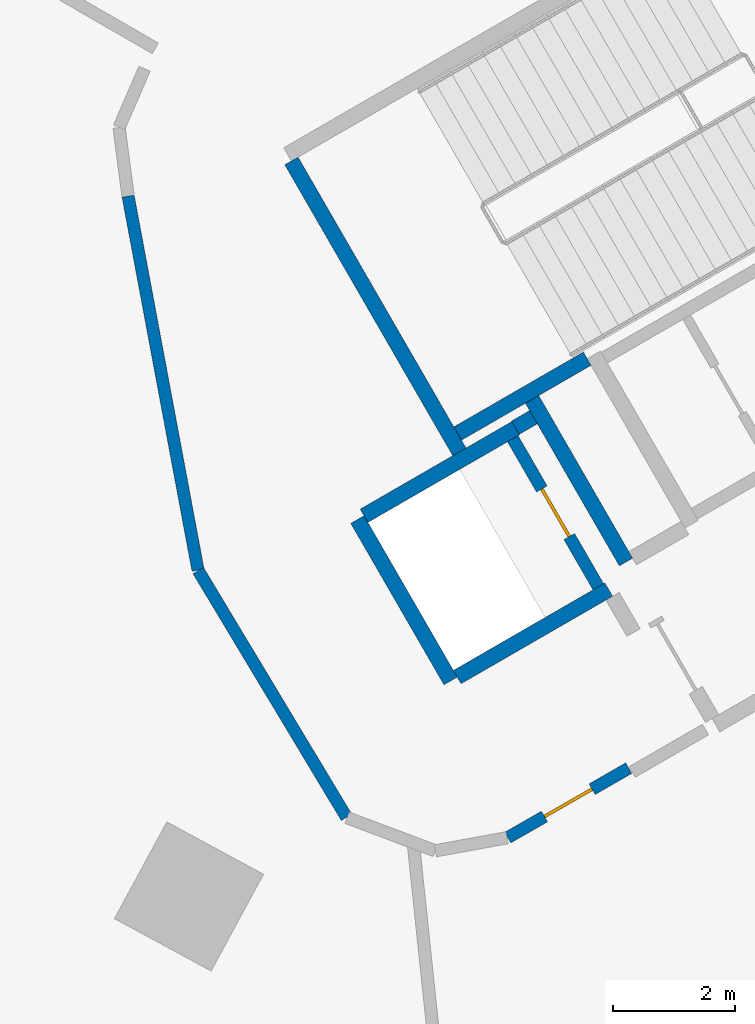
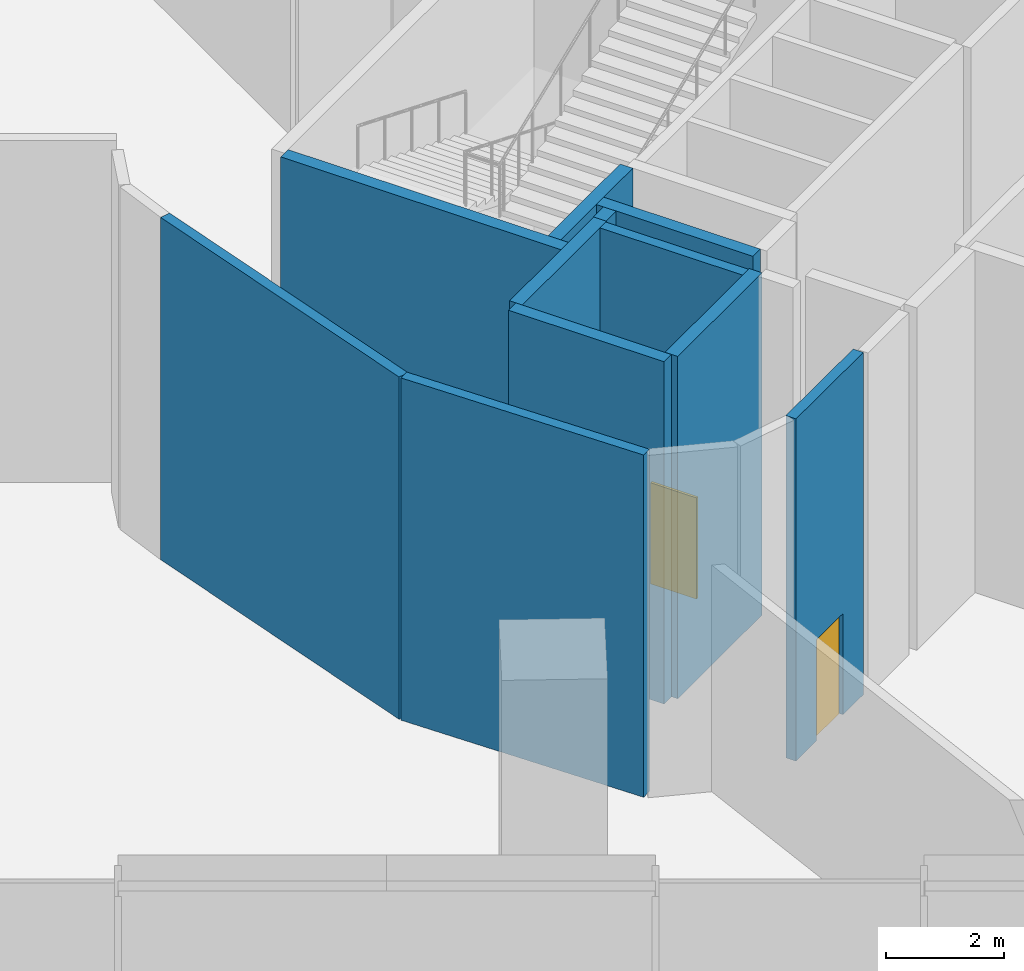
# One storey, part 15 of 41: 11 walls, 2 doors, 2 openings.
"""IFC4 building model written with IfcOpenShell, lengths in metres."""

from ifc_helpers import new_model, si_unit, direction, frame, frame_2d, origin, place, context, subcontext, project, spatial, rectangle, extrude, material, layer, layer_set, type_object, element, fill, save


model = new_model("IFC4")

# Units and contexts
model_context = context("Model", 3, precision=1e-05, world=origin(), true_north=direction((0.0, 1.0)))
body_context = subcontext(model_context, "Body", "Model", "MODEL_VIEW")
ifc_project = project(units=[si_unit("LENGTHUNIT", "METRE"), si_unit("AREAUNIT", "SQUARE_METRE"), si_unit("VOLUMEUNIT", "CUBIC_METRE"), si_unit("PLANEANGLEUNIT", "RADIAN"), si_unit("MASSUNIT", "GRAM", prefix="KILO")], contexts=[model_context])

# Site, building, storey
site_placement = place(None, origin())
site = spatial("IfcSite", under=ifc_project, at=site_placement, CompositionType="ELEMENT")
building_placement = place(site_placement, origin())
building = spatial("IfcBuilding", under=site, at=building_placement, Name="Tamra Quay Hotel Tower", CompositionType="ELEMENT")
storey_placement = place(building_placement, origin())
storey = spatial("IfcBuildingStorey", under=building, at=storey_placement, Name="L00", CompositionType="ELEMENT", Elevation=0.0)

# Wall, opening, door
ifc_material_1 = material(Name="Concrete M70", Category="concrete")
ifc_layer_1 = layer(ifc_material_1, 0.199951171875)
ifc_layer_set_1 = layer_set([ifc_layer_1], Name="Concrete M70 core wall 200")
wall_type_1 = type_object("IfcWallType", Name="Concrete M70 core wall 200", PredefinedType="SHEAR", material=ifc_layer_set_1)
wall_1_placement = place(storey_placement, frame((5.50341796875, -19.352294921875, 0.0), z_axis=(0.0, 0.0, 1.0), x_axis=(-0.499986818241, 0.866033014143, 0.0)))
wall_1 = element("IfcWall", 1, at=wall_1_placement, inside=storey, type_object=wall_type_1, Name="CW2", PredefinedType="SHEAR", context=body_context, shape_type="SweptSolid", body=[
    extrude(rectangle(XDim=2.7978515625, YDim=0.199951171875, at=frame_2d((1.39892578125, 0.0))), origin(), (0.0, 0.0, 1.0), 7.10009765625),
])
opening_1_placement = place(wall_1_placement, frame((0.948974609375, 0.0, 0.0)))
opening_1 = element("IfcOpeningElement", 2, at=opening_1_placement, cuts=wall_1, Name="Opening D1", PredefinedType="OPENING", context=body_context, shape_type="SweptSolid", body=[
    extrude(rectangle(XDim=0.89990234375, YDim=2.10009765625, at=frame_2d((0.449951171875, 1.050048828125))), frame((0.0, 0.10986328125, 0.0), z_axis=(0.0, -1.0, 0.0), x_axis=(1.0, 0.0, 0.0)), (0.0, 0.0, 1.0), 0.219970703125),
])
ifc_material_2 = material(Name="Core door D1 900x2100 LH")
door_type_1 = type_object("IfcDoorType", Name="Core door D1 900x2100 LH", OperationType="NOTDEFINED", PredefinedType="DOOR", material=ifc_material_2)
door_1_placement = place(opening_1_placement, origin())
door_1 = element("IfcDoor", 3, at=door_1_placement, inside=storey, type_object=door_type_1, Name="D1", OperationType="SINGLE_SWING_LEFT", OverallHeight=2.10009765625, OverallWidth=0.89990234375, PredefinedType="DOOR", context=body_context, shape_type="SweptSolid", body=[
    extrude(rectangle(XDim=0.89990234375, YDim=2.10009765625, at=frame_2d((0.449951171875, 1.050048828125))), frame((0.0, 0.02490234375, 0.0), z_axis=(0.0, -1.0, 0.0), x_axis=(1.0, 0.0, 0.0)), (0.0, 0.0, 1.0), 0.050048828125),
])
fill(opening_1, door_1)

# Walls
ifc_layer_2 = layer(ifc_material_1, 0.25)
ifc_layer_set_2 = layer_set([ifc_layer_2], Name="Concrete M70 core wall 250")
wall_type_2 = type_object("IfcWallType", Name="Concrete M70 core wall 250", PredefinedType="SHEAR", material=ifc_layer_set_2)
wall_2_placement = place(storey_placement, frame((3.23486328125, -17.15283203125, 0.0), z_axis=(0.0, 0.0, 1.0), x_axis=(-0.500008851346, 0.866020293397, 0.0)))
element("IfcWall", 4, at=wall_2_placement, inside=storey, type_object=wall_type_2, Name="CW1", PredefinedType="SHEAR", context=body_context, shape_type="SweptSolid", body=[
    extrude(rectangle(XDim=5.509765625, YDim=0.25, at=frame_2d((2.7548828125, 0.0))), origin(), (0.0, 0.0, 1.0), 7.10009765625),
])
wall_3_placement = place(storey_placement, frame((3.085205078125, -20.893798828125, 0.0), z_axis=(0.0, 0.0, 1.0), x_axis=(-0.499978833458, 0.866037623948, 0.0)))
element("IfcWall", 5, at=wall_3_placement, inside=storey, type_object=wall_type_2, Name="CW1", PredefinedType="SHEAR", context=body_context, shape_type="SweptSolid", body=[
    extrude(rectangle(XDim=3.050048828125, YDim=0.25, at=frame_2d((1.52490234375, 0.0))), origin(), (0.0, 0.0, 1.0), 7.10009765625),
])
wall_4_placement = place(storey_placement, frame((1.6689453125, -18.189697265625, 0.0), z_axis=(0.0, 0.0, 1.0), x_axis=(0.866042235819, 0.499970844928, 0.0)))
element("IfcWall", 6, at=wall_4_placement, inside=storey, type_object=wall_type_2, Name="CW1", PredefinedType="SHEAR", context=body_context, shape_type="SweptSolid", body=[
    extrude(rectangle(XDim=2.864501953125, YDim=0.25, at=frame_2d((1.43212890625, 0.0))), origin(), (0.0, 0.0, 1.0), 7.10009765625),
])
wall_5_placement = place(storey_placement, frame((5.6748046875, -19.39892578125, 0.0), z_axis=(0.0, 0.0, 1.0), x_axis=(-0.866026637627, -0.499997862916, 0.0)))
element("IfcWall", 7, at=wall_5_placement, inside=storey, type_object=wall_type_2, Name="CW1", PredefinedType="SHEAR", context=body_context, shape_type="SweptSolid", body=[
    extrude(rectangle(XDim=2.86474609375, YDim=0.25, at=frame_2d((1.432373046875, 0.0))), origin(), (0.0, 0.0, 1.0), 7.10009765625),
])
wall_6_placement = place(storey_placement, frame((4.414306640625, -16.275634765625, 0.0), z_axis=(0.0, 0.0, 1.0), x_axis=(0.500003324108, -0.866023484601, 0.0)))
element("IfcWall", 8, at=wall_6_placement, inside=storey, type_object=wall_type_2, Name="CW1", PredefinedType="SHEAR", context=body_context, shape_type="SweptSolid", body=[
    extrude(rectangle(XDim=3.0849609375, YDim=0.25, at=frame_2d((1.54248046875, 0.0))), origin(), (0.0, 0.0, 1.0), 7.10009765625),
])
wall_7_placement = place(storey_placement, frame((5.322021484375, -15.618896484375, 0.0), z_axis=(0.0, 0.0, 1.0), x_axis=(-0.866026229868, -0.499998569178, 0.0)))
element("IfcWall", 9, at=wall_7_placement, inside=storey, type_object=wall_type_2, Name="CW1", PredefinedType="SHEAR", context=body_context, shape_type="SweptSolid", body=[
    extrude(rectangle(XDim=2.44921875, YDim=0.25, at=frame_2d((1.224609375, 0.0))), origin(), (0.0, 0.0, 1.0), 7.10009765625),
])
wall_8_placement = place(storey_placement, frame((4.144775390625, -16.748779296875, 0.0), z_axis=(0.0, 0.0, 1.0), x_axis=(0.866185586049, 0.49972245349, 0.0)))
element("IfcWall", 10, at=wall_8_placement, inside=storey, type_object=wall_type_2, Name="CW1", PredefinedType="SHEAR", context=body_context, shape_type="SweptSolid", body=[
    extrude(rectangle(XDim=0.344482421875, YDim=0.25, at=frame_2d((0.17236328125, 0.0))), origin(), (0.0, 0.0, 1.0), 7.10009765625),
])
ifc_material_3 = material(Name="Partition party wall")
ifc_layer_3 = layer(ifc_material_3, 0.199951171875)
ifc_layer_set_3 = layer_set([ifc_layer_3], Name="Partition party wall")
wall_type_3 = type_object("IfcWallType", Name="Partition party wall", PredefinedType="PARTITIONING", material=ifc_layer_set_3)
wall_9_placement = place(storey_placement, frame((-2.194091796875, -12.95703125, 0.0), z_axis=(0.0, 0.0, 1.0), x_axis=(0.183815239544, -0.98296081189, 0.0)))
element("IfcWall", 11, at=wall_9_placement, inside=storey, type_object=wall_type_3, Name="W-P", PredefinedType="PARTITIONING", context=body_context, shape_type="SweptSolid", body=[
    extrude(rectangle(XDim=6.229248046875, YDim=0.199951171875, at=frame_2d((3.11474609375, 0.0))), origin(), (0.0, 0.0, 1.0), 7.10009765625),
])
wall_10_placement = place(storey_placement, frame((-1.0458984375, -19.0869140625, 0.0), z_axis=(0.0, 0.0, 1.0), x_axis=(0.515112605672, -0.857122513692, 0.0)))
element("IfcWall", 12, at=wall_10_placement, inside=storey, type_object=wall_type_3, Name="W-P", PredefinedType="PARTITIONING", context=body_context, shape_type="SweptSolid", body=[
    extrude(rectangle(XDim=4.71337890625, YDim=0.199951171875, at=frame_2d((2.356689453125, 0.0))), origin(), (0.0, 0.0, 1.0), 7.10009765625),
])

# Wall, opening, door
wall_11_placement = place(storey_placement, frame((4.02197265625, -23.4580078125, 0.0), z_axis=(0.0, 0.0, 1.0), x_axis=(0.867379634497, 0.497647033208, 0.0)))
wall_11 = element("IfcWall", 13, at=wall_11_placement, inside=storey, type_object=wall_type_3, Name="W-P", PredefinedType="PARTITIONING", context=body_context, shape_type="SweptSolid", body=[
    extrude(rectangle(XDim=2.28271484375, YDim=0.199951171875, at=frame_2d((1.141357421875, 0.0))), origin(), (0.0, 0.0, 1.0), 7.10009765625),
])
opening_2_placement = place(wall_11_placement, frame((0.69140625, 0.0, 0.0)))
opening_2 = element("IfcOpeningElement", 14, at=opening_2_placement, cuts=wall_11, Name="Opening L00-D019", PredefinedType="OPENING", context=body_context, shape_type="SweptSolid", body=[
    extrude(rectangle(XDim=0.89990234375, YDim=2.10009765625, at=frame_2d((0.449951171875, 1.050048828125))), frame((0.0, 0.10986328125, 0.0), z_axis=(0.0, -1.0, 0.0), x_axis=(1.0, 0.0, 0.0)), (0.0, 0.0, 1.0), 0.219970703125),
])
ifc_material_4 = material(Name="Door service room 900x2100")
door_type_2 = type_object("IfcDoorType", Name="Door service room 900x2100", OperationType="NOTDEFINED", PredefinedType="DOOR", material=ifc_material_4)
door_2_placement = place(opening_2_placement, frame((0.89990234375, 0.0, 0.0), z_axis=(0.0, 0.0, 1.0), x_axis=(-1.0, 0.0, 0.0)))
door_2 = element("IfcDoor", 15, at=door_2_placement, inside=storey, type_object=door_type_2, Name="L00-D019", OperationType="SINGLE_SWING_LEFT", OverallHeight=2.10009765625, OverallWidth=0.89990234375, PredefinedType="DOOR", context=body_context, shape_type="SweptSolid", body=[
    extrude(rectangle(XDim=0.89990234375, YDim=2.10009765625, at=frame_2d((0.449951171875, 1.050048828125))), frame((0.0, 0.02490234375, 0.0), z_axis=(0.0, -1.0, 0.0), x_axis=(1.0, 0.0, 0.0)), (0.0, 0.0, 1.0), 0.050048828125),
])
fill(opening_2, door_2)

save(model, "model.ifc")
